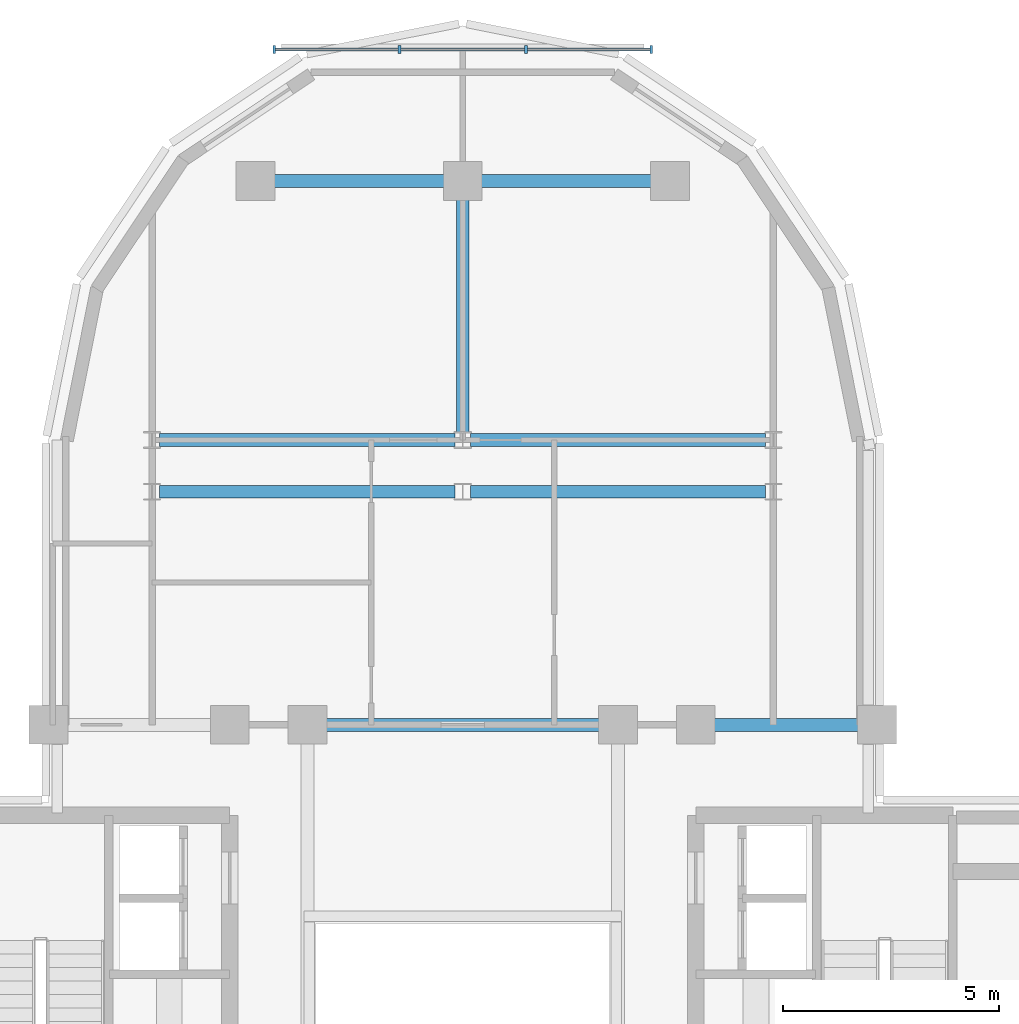
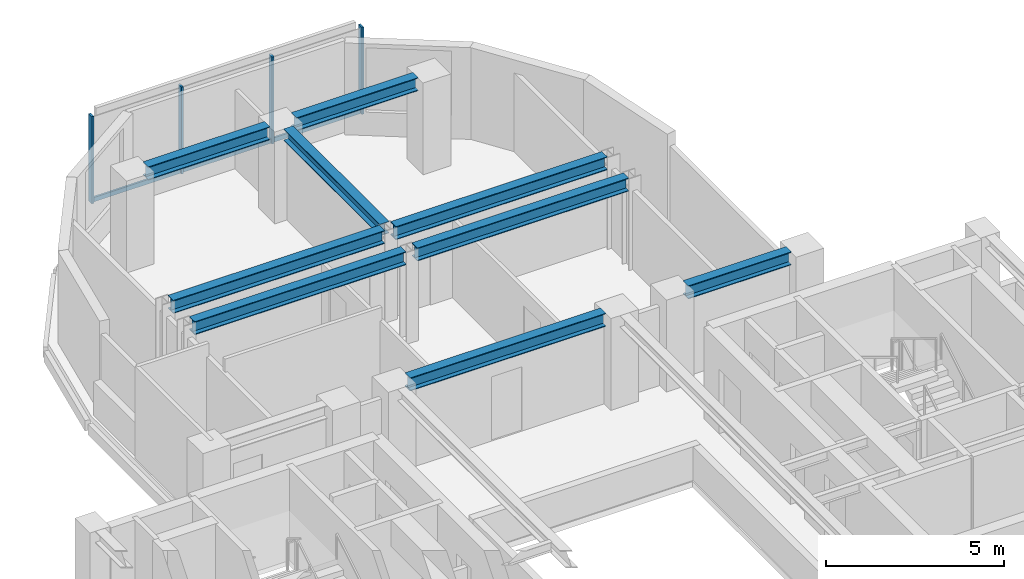
# One storey, part 4 of 11: 9 beams, 7 members, 1 element without a shape of its own.
"""IFC4 building model written with IfcOpenShell, lengths in metres."""

from ifc_helpers import new_model, si_unit, direction, frame, origin, origin_2d, place, context, subcontext, project, spatial, rectangle, i_section, extrude, source, transform, mapped, material, material_profile, profile_set, type_object, element, aggregate, save


model = new_model("IFC4")

# Units and contexts
model_context = context("Model", 3, precision=1e-05, world=origin(), true_north=direction((0.0, 1.0)))
body_context = subcontext(model_context, "Body", "Model", "MODEL_VIEW")
ifc_project = project(units=[si_unit("LENGTHUNIT", "METRE"), si_unit("AREAUNIT", "SQUARE_METRE"), si_unit("VOLUMEUNIT", "CUBIC_METRE"), si_unit("PLANEANGLEUNIT", "RADIAN"), si_unit("MASSUNIT", "GRAM", prefix="KILO")], contexts=[model_context])

# Site, building, storey
site_placement = place(None, origin())
site = spatial("IfcSite", under=ifc_project, at=site_placement, CompositionType="ELEMENT")
building_placement = place(site_placement, origin())
building = spatial("IfcBuilding", under=site, at=building_placement, Name="Keilestroom Media Tower", CompositionType="ELEMENT")
storey_placement = place(building_placement, frame((0.0, 0.0, 211.39990234375)))
storey = spatial("IfcBuildingStorey", under=building, at=storey_placement, Name="L58", CompositionType="ELEMENT", Elevation=211.39990234375)

# Beams
ifc_material_1 = material(Name="Steel S355", Category="steel")
ifc_material_profile_1 = material_profile(ifc_material_1, i_section(OverallWidth=0.300048828125, OverallDepth=0.449951171875, WebThickness=0.011962890625, FlangeThickness=0.02587890625, at=origin_2d()), Name="HEB 450")
ifc_profile_set_1 = profile_set([ifc_material_profile_1], Name="Steel S355")
beam_type_1 = type_object("IfcBeamType", Name="Primary-Structural-Girder-HEB-450", PredefinedType="BEAM", material=ifc_profile_set_1)
shared_shape_1 = source(origin(), body_context, "Body", "SweptSolid", [
    extrude(i_section(OverallWidth=0.300048828125, OverallDepth=0.449951171875, WebThickness=0.011962890625, FlangeThickness=0.02587890625, at=origin_2d()), origin(), (0.0, 0.0, 1.0), 3.940185546875),
])
for number, where, z_axis, x_axis, name in (
    (1, (-4.3701171875, 21.60009765625, 2.9150390625), (1.0, 0.0, 0.0), (0.0, 1.0, 0.0), "L58 Beam BG-7 BM-L58-EW-029"),
    (2, (0.429931640625, 21.60009765625, 2.9150390625), (1.0, 0.0, 0.0), (0.0, 1.0, 0.0), "L58 Beam BG-7 BM-L58-EW-030"),
):
    element("IfcBeam", number, at=place(storey_placement, frame(where, z_axis=z_axis, x_axis=x_axis)), inside=storey, type_object=beam_type_1, Name=name, PredefinedType="BEAM", context=body_context, shape_type="MappedRepresentation", body=[
        mapped(shared_shape_1, transform((0.0, 0.0, 0.0), x_axis=(1.0, 0.0, 0.0), y_axis=(0.0, 1.0, 0.0), z_axis=(0.0, 0.0, 1.0), scale=1.0)),
    ])
shared_shape_2 = source(origin(), body_context, "Body", "SweptSolid", [
    extrude(i_section(OverallWidth=0.300048828125, OverallDepth=0.449951171875, WebThickness=0.011962890625, FlangeThickness=0.02587890625, at=origin_2d()), origin(), (0.0, 0.0, 1.0), 6.842041015625),
])
for number, where, z_axis, x_axis, name in (
    (3, (-7.02099609375, 14.39990234375, 2.9150390625), (1.0, 0.0, 0.0), (0.0, 1.0, 0.0), "L58 Beam BG-7 BM-L58-EW-025"),
    (4, (0.178955078125, 14.39990234375, 2.9150390625), (1.0, 0.0, 0.0), (0.0, 1.0, 0.0), "L58 Beam BG-7 BM-L58-EW-026"),
    (5, (-7.02099609375, 15.60009765625, 2.9150390625), (1.0, 0.0, 0.0), (0.0, 1.0, 0.0), "L58 Beam BG-7 BM-L58-EW-027"),
    (6, (0.178955078125, 15.60009765625, 2.9150390625), (1.0, 0.0, 0.0), (0.0, 1.0, 0.0), "L58 Beam BG-7 BM-L58-EW-028"),
):
    element("IfcBeam", number, at=place(storey_placement, frame(where, z_axis=z_axis, x_axis=x_axis)), inside=storey, type_object=beam_type_1, Name=name, PredefinedType="BEAM", context=body_context, shape_type="MappedRepresentation", body=[
        mapped(shared_shape_2, transform((0.0, 0.0, 0.0), x_axis=(1.0, 0.0, 0.0), y_axis=(0.0, 1.0, 0.0), z_axis=(0.0, 0.0, 1.0), scale=1.0)),
    ])
shared_shape_3 = source(origin(), body_context, "Body", "SweptSolid", [
    extrude(i_section(OverallWidth=0.300048828125, OverallDepth=0.449951171875, WebThickness=0.011962890625, FlangeThickness=0.02587890625, at=origin_2d()), origin(), (0.0, 0.0, 1.0), 3.33984375),
])
beam_1_placement = place(storey_placement, frame((5.830078125, 9.0, 2.9150390625), z_axis=(1.0, 0.0, 0.0), x_axis=(0.0, 1.0, 0.0)))
element("IfcBeam", 7, at=beam_1_placement, inside=storey, type_object=beam_type_1, Name="L58 Beam BG-7 BM-L58-EW-024", PredefinedType="BEAM", context=body_context, shape_type="MappedRepresentation", body=[
    mapped(shared_shape_3, transform((0.0, 0.0, 0.0), x_axis=(1.0, 0.0, 0.0), y_axis=(0.0, 1.0, 0.0), z_axis=(0.0, 0.0, 1.0), scale=1.0)),
])
shared_shape_4 = source(origin(), body_context, "Body", "SweptSolid", [
    extrude(i_section(OverallWidth=0.300048828125, OverallDepth=0.449951171875, WebThickness=0.011962890625, FlangeThickness=0.02587890625, at=origin_2d()), origin(), (0.0, 0.0, 1.0), 6.33984375),
])
beam_2_placement = place(storey_placement, frame((-3.169921875, 9.0, 2.9150390625), z_axis=(1.0, 0.0, 0.0), x_axis=(0.0, 1.0, 0.0)))
element("IfcBeam", 8, at=beam_2_placement, inside=storey, type_object=beam_type_1, Name="L58 Beam BG-7 BM-L58-EW-022", PredefinedType="BEAM", context=body_context, shape_type="MappedRepresentation", body=[
    mapped(shared_shape_4, transform((0.0, 0.0, 0.0), x_axis=(1.0, 0.0, 0.0), y_axis=(0.0, 1.0, 0.0), z_axis=(0.0, 0.0, 1.0), scale=1.0)),
])
ifc_material_profile_2 = material_profile(ifc_material_1, i_section(OverallWidth=0.300048828125, OverallDepth=0.39990234375, WebThickness=0.011474609375, FlangeThickness=0.02392578125, at=origin_2d()), Name="HEB 400")
ifc_profile_set_2 = profile_set([ifc_material_profile_2], Name="Steel S355")
beam_type_2 = type_object("IfcBeamType", Name="Primary-Structural-Girder-HEB-400", PredefinedType="BEAM", material=ifc_profile_set_2)
shared_shape_5 = source(origin(), body_context, "Body", "SweptSolid", [
    extrude(i_section(OverallWidth=0.300048828125, OverallDepth=0.39990234375, WebThickness=0.011474609375, FlangeThickness=0.02392578125, at=origin_2d()), origin(), (0.0, 0.0, 1.0), 5.396484375),
])
beam_3_placement = place(storey_placement, frame((0.0, 15.7734375, 2.940185546875), z_axis=(0.0, 1.0, 0.0), x_axis=(-1.0, 0.0, 0.0)))
element("IfcBeam", 9, at=beam_3_placement, inside=storey, type_object=beam_type_2, Name="L58 Beam BG-8 BM-L58-NS-044", PredefinedType="BEAM", context=body_context, shape_type="MappedRepresentation", body=[
    mapped(shared_shape_5, transform((0.0, 0.0, 0.0), x_axis=(1.0, 0.0, 0.0), y_axis=(0.0, 1.0, 0.0), z_axis=(0.0, 0.0, 1.0), scale=1.0)),
])

# Curtain wall, members
ifc_material_2 = material(Name="Anodised Aluminium Alloy", Category="aluminium")
curtain_wall_type = type_object("IfcCurtainWallType", Name="Unitised-Curtain-Wall-CW-6", PredefinedType="NOTDEFINED", material=ifc_material_2)
curtain_wall_placement = place(storey_placement, origin())
curtain_wall = element("IfcCurtainWall", 10, at=curtain_wall_placement, inside=storey, type_object=curtain_wall_type, Name="L58 Curtain Wall CW-6 CW-L58-LN-1", PredefinedType="NOTDEFINED")
ifc_material_profile_3 = material_profile(ifc_material_2, rectangle(XDim=0.06494140625, YDim=0.179931640625, at=origin_2d()), Name="ALU MULLION 65x180")
ifc_profile_set_3 = profile_set([ifc_material_profile_3], Name="Anodised Aluminium Alloy")
member_type_1 = type_object("IfcMemberType", Name="Curtain-Wall-Mullion-CW-6", PredefinedType="MULLION", material=ifc_profile_set_3)
shared_shape_6 = source(origin(), body_context, "Body", "SweptSolid", [
    extrude(rectangle(XDim=0.06494140625, YDim=0.179931640625, at=origin_2d()), origin(), (0.0, 0.0, 1.0), 2.97998046875),
])
member_1_placement = place(storey_placement, frame((-4.367431640625, 24.64990234375, 0.0), z_axis=(0.0, 0.0, 1.0), x_axis=(1.0, 0.0, 0.0)))
member_1 = element("IfcMember", 11, at=member_1_placement, type_object=member_type_1, Name="CW-6 Mullion 00", PredefinedType="MULLION", context=body_context, shape_type="MappedRepresentation", body=[
    mapped(shared_shape_6, transform((0.0, 0.0, 0.0), x_axis=(1.0, 0.0, 0.0), y_axis=(0.0, 1.0, 0.0), z_axis=(0.0, 0.0, 1.0), scale=1.0)),
])
member_2_placement = place(storey_placement, frame((-1.466796875, 24.64990234375, 0.0), z_axis=(0.0, 0.0, 1.0), x_axis=(1.0, 0.0, 0.0)))
member_2 = element("IfcMember", 12, at=member_2_placement, type_object=member_type_1, Name="CW-6 Mullion 01", PredefinedType="MULLION", context=body_context, shape_type="MappedRepresentation", body=[
    mapped(shared_shape_6, transform((0.0, 0.0, 0.0), x_axis=(1.0, 0.0, 0.0), y_axis=(0.0, 1.0, 0.0), z_axis=(0.0, 0.0, 1.0), scale=1.0)),
])
member_3_placement = place(storey_placement, frame((1.466796875, 24.64990234375, 0.0), z_axis=(0.0, 0.0, 1.0), x_axis=(1.0, 0.0, 0.0)))
member_3 = element("IfcMember", 13, at=member_3_placement, type_object=member_type_1, Name="CW-6 Mullion 02", PredefinedType="MULLION", context=body_context, shape_type="MappedRepresentation", body=[
    mapped(shared_shape_6, transform((0.0, 0.0, 0.0), x_axis=(1.0, 0.0, 0.0), y_axis=(0.0, 1.0, 0.0), z_axis=(0.0, 0.0, 1.0), scale=1.0)),
])
member_4_placement = place(storey_placement, frame((4.367431640625, 24.64990234375, 0.0), z_axis=(0.0, 0.0, 1.0), x_axis=(1.0, 0.0, 0.0)))
member_4 = element("IfcMember", 14, at=member_4_placement, type_object=member_type_1, Name="CW-6 Mullion 03", PredefinedType="MULLION", context=body_context, shape_type="MappedRepresentation", body=[
    mapped(shared_shape_6, transform((0.0, 0.0, 0.0), x_axis=(1.0, 0.0, 0.0), y_axis=(0.0, 1.0, 0.0), z_axis=(0.0, 0.0, 1.0), scale=1.0)),
])
ifc_material_profile_4 = material_profile(ifc_material_2, rectangle(XDim=0.06494140625, YDim=0.14990234375, at=origin_2d()), Name="ALU TRANSOM 65x150")
ifc_profile_set_4 = profile_set([ifc_material_profile_4], Name="Anodised Aluminium Alloy")
member_type_2 = type_object("IfcMemberType", Name="Curtain-Wall-Transom-CW-6", PredefinedType="USERDEFINED", material=ifc_profile_set_4)
shared_shape_7 = source(origin(), body_context, "Body", "SweptSolid", [
    extrude(rectangle(XDim=0.06494140625, YDim=0.14990234375, at=origin_2d()), origin(), (0.0, 0.0, 1.0), 2.839599609375),
])
member_5_placement = place(storey_placement, frame((-4.3369140625, 24.64990234375, 0.0751953125), z_axis=(1.0, 0.0, 0.0), x_axis=(0.0, 1.0, 0.0)))
member_5 = element("IfcMember", 15, at=member_5_placement, type_object=member_type_2, Name="CW-6 Transom 00.1", ObjectType="TRANSOM", PredefinedType="USERDEFINED", context=body_context, shape_type="MappedRepresentation", body=[
    mapped(shared_shape_7, transform((0.0, 0.0, 0.0), x_axis=(1.0, 0.0, 0.0), y_axis=(0.0, 1.0, 0.0), z_axis=(0.0, 0.0, 1.0), scale=1.0)),
])
member_6_placement = place(storey_placement, frame((1.497314453125, 24.64990234375, 0.0751953125), z_axis=(1.0, 0.0, 0.0), x_axis=(0.0, 1.0, 0.0)))
member_6 = element("IfcMember", 16, at=member_6_placement, type_object=member_type_2, Name="CW-6 Transom 02.1", ObjectType="TRANSOM", PredefinedType="USERDEFINED", context=body_context, shape_type="MappedRepresentation", body=[
    mapped(shared_shape_7, transform((0.0, 0.0, 0.0), x_axis=(1.0, 0.0, 0.0), y_axis=(0.0, 1.0, 0.0), z_axis=(0.0, 0.0, 1.0), scale=1.0)),
])
shared_shape_8 = source(origin(), body_context, "Body", "SweptSolid", [
    extrude(rectangle(XDim=0.06494140625, YDim=0.14990234375, at=origin_2d()), origin(), (0.0, 0.0, 1.0), 2.87255859375),
])
member_7_placement = place(storey_placement, frame((-1.436279296875, 24.64990234375, 0.0751953125), z_axis=(1.0, 0.0, 0.0), x_axis=(0.0, 1.0, 0.0)))
member_7 = element("IfcMember", 17, at=member_7_placement, type_object=member_type_2, Name="CW-6 Transom 01.1", ObjectType="TRANSOM", PredefinedType="USERDEFINED", context=body_context, shape_type="MappedRepresentation", body=[
    mapped(shared_shape_8, transform((0.0, 0.0, 0.0), x_axis=(1.0, 0.0, 0.0), y_axis=(0.0, 1.0, 0.0), z_axis=(0.0, 0.0, 1.0), scale=1.0)),
])
aggregate(curtain_wall, [member_1, member_2, member_3, member_4, member_5, member_7, member_6])

save(model, "model.ifc")
